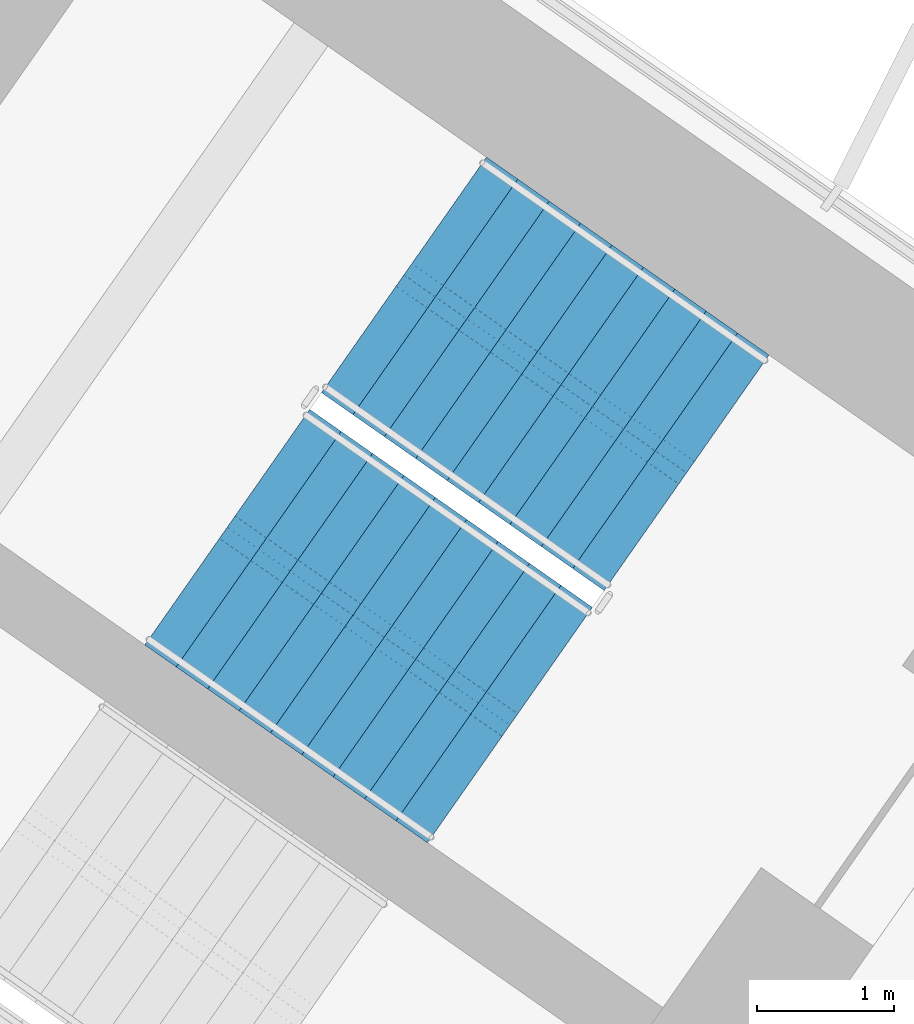
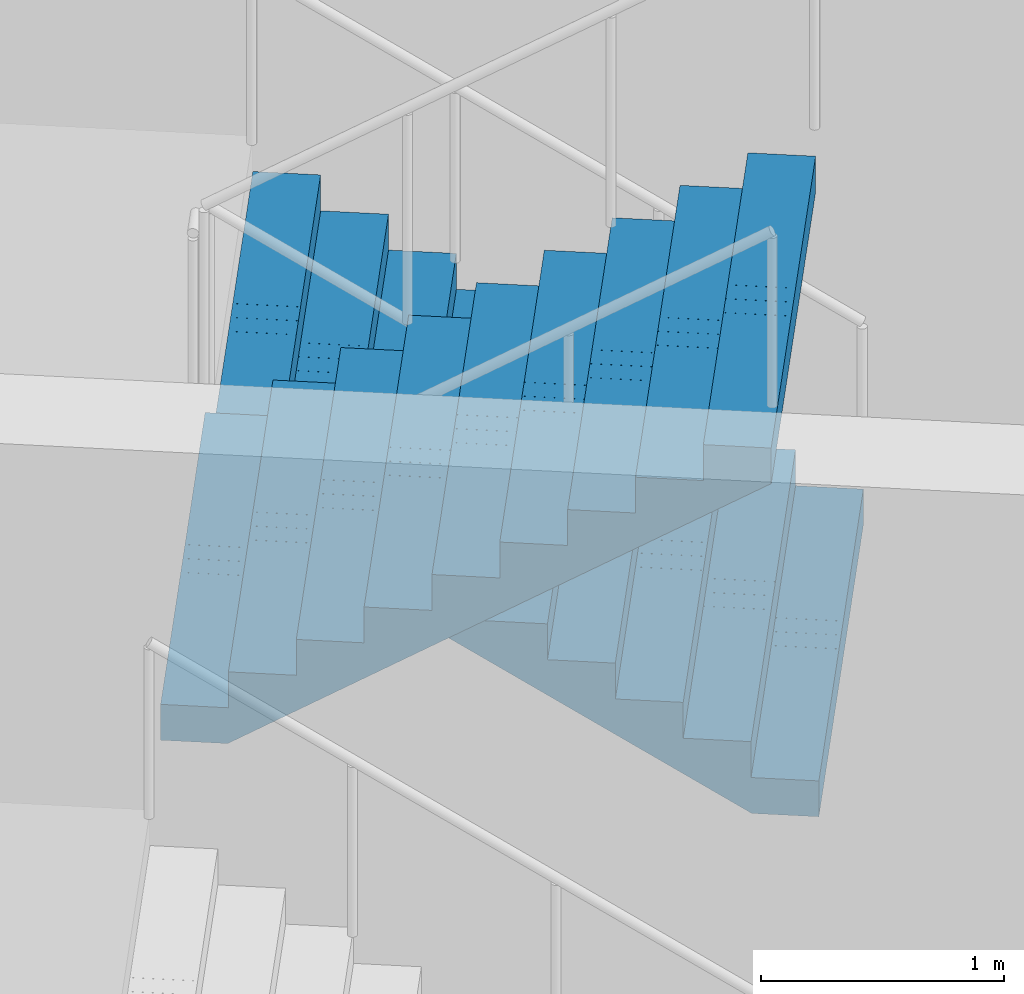
# One storey, part 17 of 23: 2 stair flights, 1 element without a shape of its own.
"""IFC4 building model written with IfcOpenShell, lengths in metres."""

from ifc_helpers import new_model, si_unit, direction, frame, origin, place, context, subcontext, project, spatial, polyline, outline, extrude, material, type_object, element, aggregate, save


model = new_model("IFC4")

# Units and contexts
model_context = context("Model", 3, precision=1e-05, world=origin(), true_north=direction((0.0, 1.0)))
body_context = subcontext(model_context, "Body", "Model", "MODEL_VIEW")
ifc_project = project(units=[si_unit("LENGTHUNIT", "METRE"), si_unit("AREAUNIT", "SQUARE_METRE"), si_unit("VOLUMEUNIT", "CUBIC_METRE"), si_unit("PLANEANGLEUNIT", "RADIAN"), si_unit("MASSUNIT", "GRAM", prefix="KILO")], contexts=[model_context])

# Site, building, storey
site_placement = place(None, origin())
site = spatial("IfcSite", under=ifc_project, at=site_placement, CompositionType="ELEMENT")
building_placement = place(site_placement, origin())
building = spatial("IfcBuilding", under=site, at=building_placement, Name="Tel Ilan Convention Tower", CompositionType="ELEMENT")
storey_placement = place(building_placement, frame((0.0, 0.0, 83.300048828125)))
storey = spatial("IfcBuildingStorey", under=building, at=storey_placement, Name="L16", CompositionType="ELEMENT", Elevation=83.300048828125)

# Stair, stair flights
ifc_material_1 = material(Name="Concrete C40/50", Category="concrete")
stair_type = type_object("IfcStairType", Name="Pressurised Exit Stair 20 risers 180 mm", PredefinedType="HALF_TURN_STAIR", material=ifc_material_1)
stair_placement = place(storey_placement, origin())
stair = element("IfcStair", 1, at=stair_placement, inside=storey, type_object=stair_type, Name="L16 Pressurised Stair S3", PredefinedType="HALF_TURN_STAIR")
ifc_material_2 = material(Name="Precast Concrete C40/50", Category="concrete")
stair_flight_type = type_object("IfcStairFlightType", Name="Concrete Stair Flight 2100 mm 20 risers 180 mm", PredefinedType="STRAIGHT", material=ifc_material_2)
stair_flight_1_placement = place(storey_placement, frame((24.25244140625, -7.032470703125, 0.0), z_axis=(0.0, 0.0, 1.0), x_axis=(-0.819152044289, 0.573576436351, 0.0)))
stair_flight_1 = element("IfcStairFlight", 2, at=stair_flight_1_placement, type_object=stair_flight_type, Name="S3 flight 1", NumberOfRisers=10, NumberOfTreads=9, PredefinedType="STRAIGHT", RiserHeight=0.18, TreadLength=0.28, context=body_context, shape_type="SweptSolid", body=[
    extrude(outline(polyline([(0.0, 0.0), (0.0, 0.179931640625), (0.280029296875, 0.179931640625), (0.280029296875, 0.360107421875), (0.56005859375, 0.360107421875), (0.56005859375, 0.5400390625), (0.840087890625, 0.5400390625), (0.840087890625, 0.719970703125), (1.1201171875, 0.719970703125), (1.1201171875, 0.89990234375), (1.39990234375, 0.89990234375), (1.39990234375, 1.080078125), (1.679931640625, 1.080078125), (1.679931640625, 1.260009765625), (1.9599609375, 1.260009765625), (1.9599609375, 1.43994140625), (2.239990234375, 1.43994140625), (2.239990234375, 1.6201171875), (2.52001953125, 1.6201171875), (2.52001953125, 1.800048828125), (2.52001953125, 1.44189453125), (0.277099609375, 0.0), (0.0, 0.0)])), frame((0.0, -0.100341796875, 0.0), z_axis=(0.0, -1.0, 0.0), x_axis=(1.0, 0.0, 0.0)), (0.0, 0.0, 1.0), 0.94970703125),
    extrude(outline(polyline([(0.0, 0.0), (0.0, 0.179931640625), (0.280029296875, 0.179931640625), (0.280029296875, 0.360107421875), (0.56005859375, 0.360107421875), (0.56005859375, 0.5400390625), (0.840087890625, 0.5400390625), (0.840087890625, 0.719970703125), (1.1201171875, 0.719970703125), (1.1201171875, 0.89990234375), (1.39990234375, 0.89990234375), (1.39990234375, 1.080078125), (1.679931640625, 1.080078125), (1.679931640625, 1.260009765625), (1.9599609375, 1.260009765625), (1.9599609375, 1.43994140625), (2.239990234375, 1.43994140625), (2.239990234375, 1.6201171875), (2.52001953125, 1.6201171875), (2.52001953125, 1.800048828125), (2.52001953125, 1.44189453125), (0.277099609375, 0.0), (0.0, 0.0)])), frame((0.0, -0.000244140625, 0.0), z_axis=(0.0, -1.0, 0.0), x_axis=(1.0, 0.0, 0.0)), (0.0, 0.0, 1.0), 0.099609375),
    extrude(outline(polyline([(0.0, 0.0), (0.0, 0.179931640625), (0.280029296875, 0.179931640625), (0.280029296875, 0.360107421875), (0.56005859375, 0.360107421875), (0.56005859375, 0.5400390625), (0.840087890625, 0.5400390625), (0.840087890625, 0.719970703125), (1.1201171875, 0.719970703125), (1.1201171875, 0.89990234375), (1.39990234375, 0.89990234375), (1.39990234375, 1.080078125), (1.679931640625, 1.080078125), (1.679931640625, 1.260009765625), (1.9599609375, 1.260009765625), (1.9599609375, 1.43994140625), (2.239990234375, 1.43994140625), (2.239990234375, 1.6201171875), (2.52001953125, 1.6201171875), (2.52001953125, 1.800048828125), (2.52001953125, 1.44189453125), (0.277099609375, 0.0), (0.0, 0.0)])), frame((0.0, 0.099853515625, 0.0), z_axis=(0.0, -1.0, 0.0), x_axis=(1.0, 0.0, 0.0)), (0.0, 0.0, 1.0), 0.099609375),
    extrude(outline(polyline([(0.0, 0.0), (0.0, 0.179931640625), (0.280029296875, 0.179931640625), (0.280029296875, 0.360107421875), (0.56005859375, 0.360107421875), (0.56005859375, 0.5400390625), (0.840087890625, 0.5400390625), (0.840087890625, 0.719970703125), (1.1201171875, 0.719970703125), (1.1201171875, 0.89990234375), (1.39990234375, 0.89990234375), (1.39990234375, 1.080078125), (1.679931640625, 1.080078125), (1.679931640625, 1.260009765625), (1.9599609375, 1.260009765625), (1.9599609375, 1.43994140625), (2.239990234375, 1.43994140625), (2.239990234375, 1.6201171875), (2.52001953125, 1.6201171875), (2.52001953125, 1.800048828125), (2.52001953125, 1.44189453125), (0.277099609375, 0.0), (0.0, 0.0)])), frame((0.0, 1.050048828125, 0.0), z_axis=(0.0, -1.0, 0.0), x_axis=(1.0, 0.0, 0.0)), (0.0, 0.0, 1.0), 0.94970703125),
])
stair_flight_2_placement = place(storey_placement, frame((20.8974609375, -7.43017578125, 1.800048828125), z_axis=(0.0, 0.0, 1.0), x_axis=(0.819152044289, -0.573576436351, 0.0)))
stair_flight_2 = element("IfcStairFlight", 3, at=stair_flight_2_placement, type_object=stair_flight_type, Name="S3 flight 2", NumberOfRisers=10, NumberOfTreads=9, PredefinedType="STRAIGHT", RiserHeight=0.18, TreadLength=0.28, context=body_context, shape_type="SweptSolid", body=[
    extrude(outline(polyline([(0.0, 0.0), (0.0, 0.179931640625), (0.280029296875, 0.179931640625), (0.280029296875, 0.360107421875), (0.56005859375, 0.360107421875), (0.56005859375, 0.5400390625), (0.840087890625, 0.5400390625), (0.840087890625, 0.719970703125), (1.1201171875, 0.719970703125), (1.1201171875, 0.89990234375), (1.39990234375, 0.89990234375), (1.39990234375, 1.080078125), (1.679931640625, 1.080078125), (1.679931640625, 1.260009765625), (1.9599609375, 1.260009765625), (1.9599609375, 1.43994140625), (2.239990234375, 1.43994140625), (2.239990234375, 1.6201171875), (2.52001953125, 1.6201171875), (2.52001953125, 1.800048828125), (2.52001953125, 1.44189453125), (0.277099609375, 0.0), (0.0, 0.0)])), frame((0.0, -0.100341796875, 0.0), z_axis=(0.0, -1.0, 0.0), x_axis=(1.0, 0.0, 0.0)), (0.0, 0.0, 1.0), 0.94970703125),
    extrude(outline(polyline([(0.0, 0.0), (0.0, 0.179931640625), (0.280029296875, 0.179931640625), (0.280029296875, 0.360107421875), (0.56005859375, 0.360107421875), (0.56005859375, 0.5400390625), (0.840087890625, 0.5400390625), (0.840087890625, 0.719970703125), (1.1201171875, 0.719970703125), (1.1201171875, 0.89990234375), (1.39990234375, 0.89990234375), (1.39990234375, 1.080078125), (1.679931640625, 1.080078125), (1.679931640625, 1.260009765625), (1.9599609375, 1.260009765625), (1.9599609375, 1.43994140625), (2.239990234375, 1.43994140625), (2.239990234375, 1.6201171875), (2.52001953125, 1.6201171875), (2.52001953125, 1.800048828125), (2.52001953125, 1.44189453125), (0.277099609375, 0.0), (0.0, 0.0)])), frame((0.0, -0.000244140625, 0.0), z_axis=(0.0, -1.0, 0.0), x_axis=(1.0, 0.0, 0.0)), (0.0, 0.0, 1.0), 0.099609375),
    extrude(outline(polyline([(0.0, 0.0), (0.0, 0.179931640625), (0.280029296875, 0.179931640625), (0.280029296875, 0.360107421875), (0.56005859375, 0.360107421875), (0.56005859375, 0.5400390625), (0.840087890625, 0.5400390625), (0.840087890625, 0.719970703125), (1.1201171875, 0.719970703125), (1.1201171875, 0.89990234375), (1.39990234375, 0.89990234375), (1.39990234375, 1.080078125), (1.679931640625, 1.080078125), (1.679931640625, 1.260009765625), (1.9599609375, 1.260009765625), (1.9599609375, 1.43994140625), (2.239990234375, 1.43994140625), (2.239990234375, 1.6201171875), (2.52001953125, 1.6201171875), (2.52001953125, 1.800048828125), (2.52001953125, 1.44189453125), (0.277099609375, 0.0), (0.0, 0.0)])), frame((0.0, 0.099853515625, 0.0), z_axis=(0.0, -1.0, 0.0), x_axis=(1.0, 0.0, 0.0)), (0.0, 0.0, 1.0), 0.099609375),
    extrude(outline(polyline([(0.0, 0.0), (0.0, 0.179931640625), (0.280029296875, 0.179931640625), (0.280029296875, 0.360107421875), (0.56005859375, 0.360107421875), (0.56005859375, 0.5400390625), (0.840087890625, 0.5400390625), (0.840087890625, 0.719970703125), (1.1201171875, 0.719970703125), (1.1201171875, 0.89990234375), (1.39990234375, 0.89990234375), (1.39990234375, 1.080078125), (1.679931640625, 1.080078125), (1.679931640625, 1.260009765625), (1.9599609375, 1.260009765625), (1.9599609375, 1.43994140625), (2.239990234375, 1.43994140625), (2.239990234375, 1.6201171875), (2.52001953125, 1.6201171875), (2.52001953125, 1.800048828125), (2.52001953125, 1.44189453125), (0.277099609375, 0.0), (0.0, 0.0)])), frame((0.0, 1.050048828125, 0.0), z_axis=(0.0, -1.0, 0.0), x_axis=(1.0, 0.0, 0.0)), (0.0, 0.0, 1.0), 0.94970703125),
])
aggregate(stair, [stair_flight_1, stair_flight_2])

save(model, "model.ifc")
